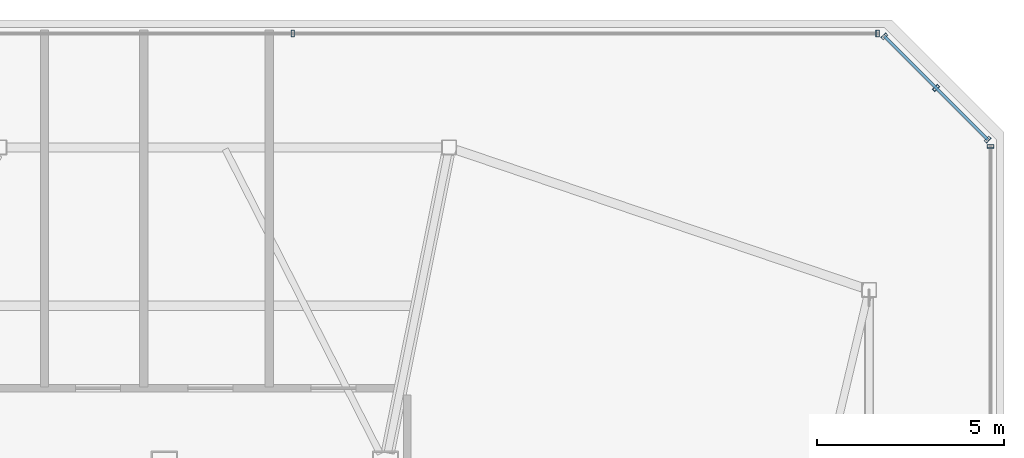
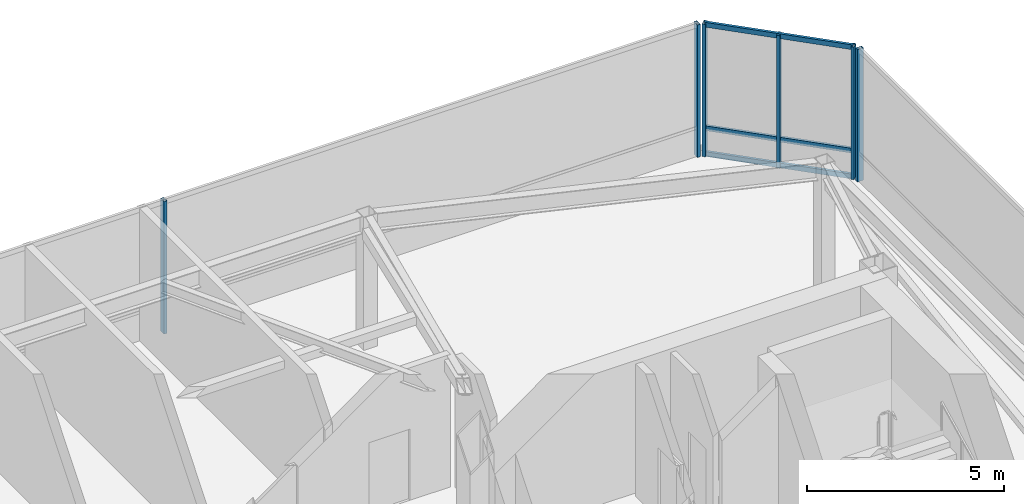
# One storey, part 15 of 21: 9 members, 3 elements without a shape of their own.
"""IFC4 building model written with IfcOpenShell, lengths in metres."""

from ifc_helpers import new_model, si_unit, direction, frame, origin, origin_2d, place, context, subcontext, project, spatial, hollow_rectangle, extrude, material, layer, layer_set, material_profile, profile_set, type_object, element, aggregate, save


model = new_model("IFC4")

# Units and contexts
model_context = context("Model", 3, precision=1e-05, world=origin(), true_north=direction((0.0, 1.0)))
body_context = subcontext(model_context, "Body", "Model", "MODEL_VIEW")
ifc_project = project(units=[si_unit("LENGTHUNIT", "METRE"), si_unit("AREAUNIT", "SQUARE_METRE"), si_unit("VOLUMEUNIT", "CUBIC_METRE"), si_unit("PLANEANGLEUNIT", "RADIAN"), si_unit("MASSUNIT", "GRAM", prefix="KILO")], contexts=[model_context])

# Site, building, storey
site_placement = place(None, origin())
site = spatial("IfcSite", under=ifc_project, at=site_placement, CompositionType="ELEMENT")
building_placement = place(site_placement, origin())
building = spatial("IfcBuilding", under=site, at=building_placement, Name="Tavrogorsk Clinical Tower", CompositionType="ELEMENT")
storey_placement = place(building_placement, frame((0.0, 0.0, 344.199951171875)))
storey = spatial("IfcBuildingStorey", under=building, at=storey_placement, Name="L80", CompositionType="ELEMENT", Elevation=344.199951171875)

# Curtain wall, members
ifc_material_1 = material(Name="Anodised aluminium and triple IGU glazing", Category="aluminium")
ifc_layer = layer(ifc_material_1, 0.179931640625)
ifc_layer_set = layer_set([ifc_layer], Name="Anodised aluminium and triple IGU glazing")
curtain_wall_type = type_object("IfcCurtainWallType", Name="CW5_SkyLobby", PredefinedType="NOTDEFINED", material=ifc_layer_set)
curtain_wall_1_placement = place(storey_placement, origin())
curtain_wall_1 = element("IfcCurtainWall", 1, at=curtain_wall_1_placement, inside=storey, type_object=curtain_wall_type, Name="L80 Curtain Wall CW-L80-DRUM-4", PredefinedType="NOTDEFINED")
ifc_material_2 = material(Name="Anodised aluminium alloy AW-6060", Category="aluminium")
ifc_material_profile_1 = material_profile(ifc_material_2, hollow_rectangle(XDim=0.090087890625, YDim=0.179931640625, WallThickness=0.00634765625, at=origin_2d()), Name="RHS-180x90x6.3")
ifc_profile_set_1 = profile_set([ifc_material_profile_1], Name="Anodised aluminium alloy AW-6060")
member_type_1 = type_object("IfcMemberType", Name="CwMullion_180x90", PredefinedType="MULLION", material=ifc_profile_set_1)
member_1_placement = place(storey_placement, frame((7.824462890625, 17.840087890625, 0.0), z_axis=(0.0, 0.0, 1.0), x_axis=(1.0, 0.0, 0.0)))
member_1 = element("IfcMember", 2, at=member_1_placement, type_object=member_type_1, Name="CW-L80-DRUM-4 Mullion 3", PredefinedType="MULLION", context=body_context, shape_type="SweptSolid", body=[
    extrude(hollow_rectangle(XDim=0.090087890625, YDim=0.179931640625, WallThickness=0.00634765625, at=origin_2d()), origin(), (0.0, 0.0, 1.0), 4.10009765625),
])
member_2_placement = place(storey_placement, frame((23.4287109375, 17.840087890625, 0.0), z_axis=(0.0, 0.0, 1.0), x_axis=(1.0, 0.0, 0.0)))
member_2 = element("IfcMember", 3, at=member_2_placement, type_object=member_type_1, Name="CW-L80-DRUM-4 Mullion 4", PredefinedType="MULLION", context=body_context, shape_type="SweptSolid", body=[
    extrude(hollow_rectangle(XDim=0.090087890625, YDim=0.179931640625, WallThickness=0.00634765625, at=origin_2d()), origin(), (0.0, 0.0, 1.0), 4.10009765625),
])
aggregate(curtain_wall_1, [member_1, member_2])

curtain_wall_2_placement = place(storey_placement, origin())
curtain_wall_2 = element("IfcCurtainWall", 4, at=curtain_wall_2_placement, inside=storey, type_object=curtain_wall_type, Name="L80 Curtain Wall CW-L80-DRUM-5", PredefinedType="NOTDEFINED")
member_3_placement = place(storey_placement, frame((23.60791015625, 17.765869140625, 0.0), z_axis=(0.0, 0.0, 1.0), x_axis=(0.707106781187, -0.707106781187, 0.0)))
member_3 = element("IfcMember", 5, at=member_3_placement, type_object=member_type_1, Name="CW-L80-DRUM-5 Mullion 1", PredefinedType="MULLION", context=body_context, shape_type="SweptSolid", body=[
    extrude(hollow_rectangle(XDim=0.090087890625, YDim=0.179931640625, WallThickness=0.00634765625, at=origin_2d()), origin(), (0.0, 0.0, 1.0), 4.10009765625),
])
member_4_placement = place(storey_placement, frame((24.98681640625, 16.386962890625, 0.0), z_axis=(0.0, 0.0, 1.0), x_axis=(0.707106781187, -0.707106781187, 0.0)))
member_4 = element("IfcMember", 6, at=member_4_placement, type_object=member_type_1, Name="CW-L80-DRUM-5 Mullion 2", PredefinedType="MULLION", context=body_context, shape_type="SweptSolid", body=[
    extrude(hollow_rectangle(XDim=0.090087890625, YDim=0.179931640625, WallThickness=0.00634765625, at=origin_2d()), origin(), (0.0, 0.0, 1.0), 4.10009765625),
])
member_5_placement = place(storey_placement, frame((26.36572265625, 15.008056640625, 0.0), z_axis=(0.0, 0.0, 1.0), x_axis=(0.707106781187, -0.707106781187, 0.0)))
member_5 = element("IfcMember", 7, at=member_5_placement, type_object=member_type_1, Name="CW-L80-DRUM-5 Mullion 3", PredefinedType="MULLION", context=body_context, shape_type="SweptSolid", body=[
    extrude(hollow_rectangle(XDim=0.090087890625, YDim=0.179931640625, WallThickness=0.00634765625, at=origin_2d()), origin(), (0.0, 0.0, 1.0), 4.10009765625),
])

# Curtain wall, member
curtain_wall_3_placement = place(storey_placement, origin())
curtain_wall_3 = element("IfcCurtainWall", 8, at=curtain_wall_3_placement, inside=storey, type_object=curtain_wall_type, Name="L80 Curtain Wall CW-L80-DRUM-6", PredefinedType="NOTDEFINED")
member_6_placement = place(storey_placement, frame((26.43994140625, 14.82861328125, 0.0), z_axis=(0.0, 0.0, 1.0), x_axis=(0.0, -1.0, 0.0)))
member_6 = element("IfcMember", 9, at=member_6_placement, type_object=member_type_1, Name="CW-L80-DRUM-6 Mullion 1", PredefinedType="MULLION", context=body_context, shape_type="SweptSolid", body=[
    extrude(hollow_rectangle(XDim=0.090087890625, YDim=0.179931640625, WallThickness=0.00634765625, at=origin_2d()), origin(), (0.0, 0.0, 1.0), 4.10009765625),
])
aggregate(curtain_wall_3, [member_6])

# Member
ifc_material_3 = material(Name="Anodised aluminium alloy AW-6060", Category="aluminium")
ifc_material_profile_2 = material_profile(ifc_material_3, hollow_rectangle(XDim=0.074951171875, YDim=0.14990234375, WallThickness=0.0048828125, at=origin_2d()), Name="RHS-150x75x5")
ifc_profile_set_2 = profile_set([ifc_material_profile_2], Name="Anodised aluminium alloy AW-6060")
member_type_2 = type_object("IfcMemberType", Name="CwTransom_150x75", PredefinedType="USERDEFINED", material=ifc_profile_set_2)
member_7_placement = place(storey_placement, frame((23.60791015625, 17.765869140625, 0.050048828125), z_axis=(0.707106781187, -0.707106781187, 0.0), x_axis=(0.707106781187, 0.707106781187, 0.0)))
member_7 = element("IfcMember", 10, at=member_7_placement, type_object=member_type_2, Name="CW-L80-DRUM-5 Transom 1", ObjectType="TRANSOM", PredefinedType="USERDEFINED", context=body_context, shape_type="SweptSolid", body=[
    extrude(hollow_rectangle(XDim=0.074951171875, YDim=0.14990234375, WallThickness=0.0048828125, at=origin_2d()), origin(), (0.0, 0.0, 1.0), 3.900146484375),
])

member_8_placement = place(storey_placement, frame((23.60791015625, 17.765869140625, 0.85009765625), z_axis=(0.707106781187, -0.707106781187, 0.0), x_axis=(0.707106781187, 0.707106781187, 0.0)))
member_8 = element("IfcMember", 11, at=member_8_placement, type_object=member_type_2, Name="CW-L80-DRUM-5 Transom 2", ObjectType="TRANSOM", PredefinedType="USERDEFINED", context=body_context, shape_type="SweptSolid", body=[
    extrude(hollow_rectangle(XDim=0.074951171875, YDim=0.14990234375, WallThickness=0.0048828125, at=origin_2d()), origin(), (0.0, 0.0, 1.0), 3.900146484375),
])

member_9_placement = place(storey_placement, frame((23.60791015625, 17.765869140625, 4.050048828125), z_axis=(0.707106781187, -0.707106781187, 0.0), x_axis=(0.707106781187, 0.707106781187, 0.0)))
member_9 = element("IfcMember", 12, at=member_9_placement, type_object=member_type_2, Name="CW-L80-DRUM-5 Transom 3", ObjectType="TRANSOM", PredefinedType="USERDEFINED", context=body_context, shape_type="SweptSolid", body=[
    extrude(hollow_rectangle(XDim=0.074951171875, YDim=0.14990234375, WallThickness=0.0048828125, at=origin_2d()), origin(), (0.0, 0.0, 1.0), 3.900146484375),
])

aggregate(curtain_wall_2, [member_3, member_4, member_5, member_7, member_8, member_9])

save(model, "model.ifc")
